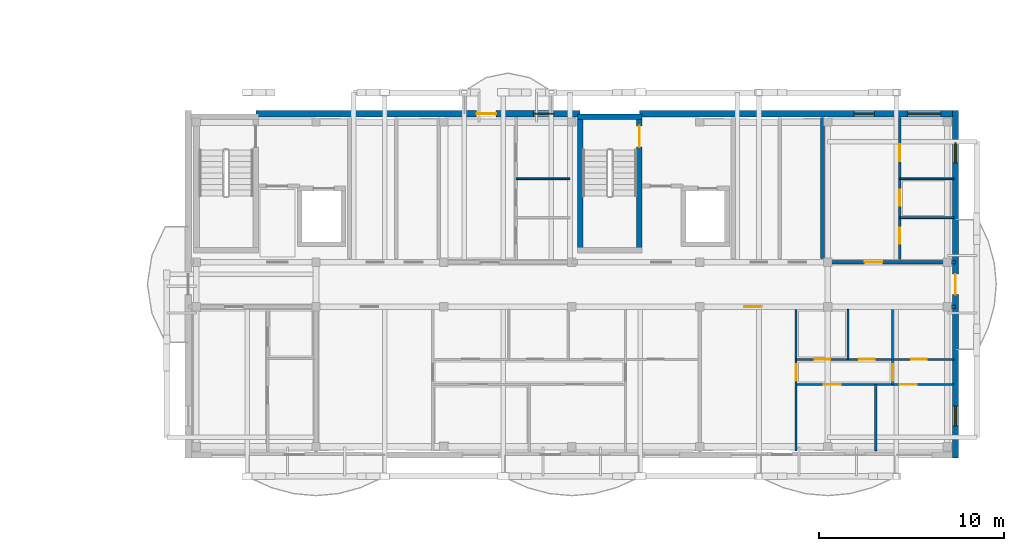
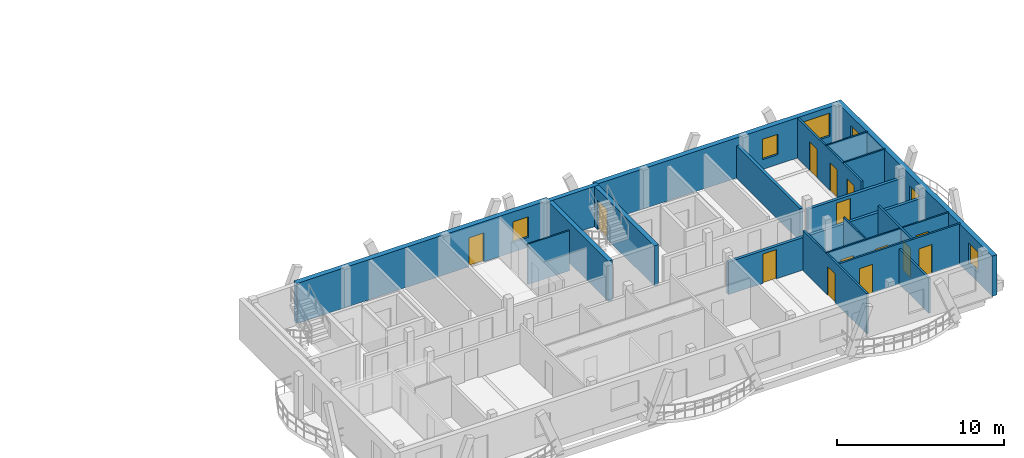
# One storey, part 27 of 42: 19 walls, 15 doors, 5 windows, 20 openings.
"""IFC4 building model written with IfcOpenShell, lengths in metres."""

import ifcopenshell
import ifcopenshell.guid

model = None  # the IFC model being written
_history = None  # IfcOwnerHistory: only IFC2X3 demands one
_inside = {}  # id of a spatial element -> (the spatial element, [elements in it])
_under = {}  # id of a project, library or spatial element -> (it, [spatial elements below it])
_declared = {}  # id of a project -> (the project, [libraries it declares])
_typed = {}  # id of a type object -> (the type object, [elements of that type])
_made_of = {}  # id of a material, layer set ... -> (it, [elements and type objects made of it])


def new_model(schema):
    """Start an empty IFC model of exactly this schema.

    Asked for "IFC4X3", IfcOpenShell would pick the latest addendum, in which some entities
    have other attributes; the version numbers below select the first issue.
    IFC2X3 requires an IfcOwnerHistory on every rooted entity: one is made here for all.
    """
    global model, _history
    if schema == "IFC4X3":
        model = ifcopenshell.file(schema_version=(4, 3, 0, 0))
    else:
        model = ifcopenshell.file(schema=schema)
    _inside.clear()
    _under.clear()
    _declared.clear()
    _typed.clear()
    _made_of.clear()
    _history = None
    if model.schema == "IFC2X3":
        org = make("IfcOrganization", Name="unknown")
        user = make(
            "IfcPersonAndOrganization",
            ThePerson=make("IfcPerson", FamilyName="unknown"),
            TheOrganization=org,
        )
        app = make(
            "IfcApplication",
            ApplicationDeveloper=org,
            Version="unknown",
            ApplicationFullName="unknown",
            ApplicationIdentifier="unknown",
        )
        _history = make(
            "IfcOwnerHistory",
            OwningUser=user,
            OwningApplication=app,
            ChangeAction="ADDED",
            CreationDate=0,
        )
    return model


def make(cls, **values):
    """One entity of the class cls with the attributes given. An attribute that is None is left unset."""
    return model.create_entity(
        cls, **{name: value for name, value in values.items() if value is not None}
    )


def rooted(cls, **values):
    """An entity with a GlobalId (a new one), such as an element, a storey or a relation."""
    return make(cls, GlobalId=ifcopenshell.guid.new(), OwnerHistory=_history, **values)


def si_unit(unit_type, name, prefix=None):
    """IfcSIUnit, for example si_unit("LENGTHUNIT", "METRE", prefix="MILLI")."""
    return make("IfcSIUnit", UnitType=unit_type, Prefix=prefix, Name=name)


def assignment(units):
    """IfcUnitAssignment: the units of a project."""
    return None if units is None else make("IfcUnitAssignment", Units=units)


def point(xyz):
    """IfcCartesianPoint."""
    return None if xyz is None else make("IfcCartesianPoint", Coordinates=xyz)


def direction(xyz):
    """IfcDirection."""
    return None if xyz is None else make("IfcDirection", DirectionRatios=xyz)


def frame(location, z_axis=None, x_axis=None):
    """IfcAxis2Placement3D, a coordinate frame: its origin and axes. An axis left out is left unset."""
    return make(
        "IfcAxis2Placement3D",
        Location=point(location),
        Axis=direction(z_axis),
        RefDirection=direction(x_axis),
    )


def frame_2d(location, x_axis=None):
    """IfcAxis2Placement2D, a coordinate frame in the plane: its origin and x axis."""
    return make(
        "IfcAxis2Placement2D", Location=point(location), RefDirection=direction(x_axis)
    )


def origin():
    """The frame at (0, 0, 0) with its axes left unset."""
    return frame((0.0, 0.0, 0.0))


def origin_with_axes():
    """The frame at (0, 0, 0) with the z axis (0, 0, 1) and the x axis (1, 0, 0) written out."""
    return frame((0.0, 0.0, 0.0), z_axis=(0.0, 0.0, 1.0), x_axis=(1.0, 0.0, 0.0))


def place(relative_to, where):
    """IfcLocalPlacement: puts the frame where relative to a parent placement (None: the world)."""
    return make(
        "IfcLocalPlacement", PlacementRelTo=relative_to, RelativePlacement=where
    )


def context(
    kind, dimensions, precision=None, world=None, true_north=None, identifier=None
):
    """IfcGeometricRepresentationContext, for example the 3D "Model" context."""
    return make(
        "IfcGeometricRepresentationContext",
        ContextIdentifier=identifier,
        ContextType=kind,
        CoordinateSpaceDimension=dimensions,
        Precision=precision,
        WorldCoordinateSystem=world,
        TrueNorth=true_north,
    )


def subcontext(parent, identifier, kind, view, scale=None):
    """IfcGeometricRepresentationSubContext, for example "Body" below "Model"."""
    return make(
        "IfcGeometricRepresentationSubContext",
        ContextIdentifier=identifier,
        ContextType=kind,
        ParentContext=parent,
        TargetScale=scale,
        TargetView=view,
    )


def project(units=None, contexts=None):
    """IfcProject with its units and contexts."""
    return rooted(
        "IfcProject",
        Name="project",
        RepresentationContexts=contexts,
        UnitsInContext=assignment(units),
    )


def spatial(cls, under=None, at=None, **own):
    """A site, building, storey or space (cls), placed at a placement, below another one or the project."""
    s = rooted(cls, ObjectPlacement=at, **own)
    if under is not None:
        _under.setdefault(under.id(), (under, []))[1].append(s)
    return s


def profile(cls, at=None, kind="AREA", **sizes):
    """A parametric profile (cls). Its sizes go by their IFC names, for example OverallWidth=200.0."""
    return make(cls, ProfileType=kind, Position=at, **sizes)


def rectangle(**sizes):
    """IfcRectangleProfileDef."""
    return profile("IfcRectangleProfileDef", **sizes)


def extrude(swept, where, along, depth):
    """IfcExtrudedAreaSolid: the profile swept, set in the frame where, extruded along a direction by depth."""
    return make(
        "IfcExtrudedAreaSolid",
        SweptArea=swept,
        Position=where,
        ExtrudedDirection=direction(along),
        Depth=depth,
    )


def shape(context_of_items, identifier, shape_type, items):
    """IfcShapeRepresentation: the items that make up one representation, for example the "Body"."""
    return make(
        "IfcShapeRepresentation",
        ContextOfItems=context_of_items,
        RepresentationIdentifier=identifier,
        RepresentationType=shape_type,
        Items=items,
    )


def material(Name=None, Category=None):
    """IfcMaterial."""
    return make("IfcMaterial", Name=Name, Category=Category)


def layer(
    of_material, thickness, ventilated=None, Name=None, Category=None, Priority=None
):
    """IfcMaterialLayer: one layer of a wall or slab, of a material (None: an air gap)."""
    return make(
        "IfcMaterialLayer",
        Material=of_material,
        LayerThickness=thickness,
        IsVentilated=ventilated,
        Name=Name,
        Category=Category,
        Priority=Priority,
    )


def layer_set(layers, Name=None):
    """IfcMaterialLayerSet."""
    return make("IfcMaterialLayerSet", MaterialLayers=layers, LayerSetName=Name)


def made_of(thing, what):
    """Note that an element or type object is made of a material, layer set ...; save() writes the relation."""
    if what is not None:
        _made_of.setdefault(what.id(), (what, []))[1].append(thing)
    return thing


def type_object(cls, material=None, **own):
    """A type object (cls), such as IfcWallType, which elements share."""
    return made_of(rooted(cls, **own), material)


def element(
    cls,
    number,
    at=None,
    inside=None,
    cuts=None,
    type_object=None,
    material=None,
    context=None,
    identifier="Body",
    shape_type=None,
    held_by="IfcProductDefinitionShape",
    body=None,
    shapes=None,
    **own,
):
    """One element of the class cls, such as IfcWall. Its Tag is "e" and its number.

    at: its placement. inside: the storey or other place that contains it. cuts: it is an
    opening in that element (IfcRelVoidsElement). A single representation is given by context,
    identifier, shape_type and body (its items); several are given by shapes. held_by: the class
    of the entity that holds the representations. save() writes the other relations.
    """
    e = rooted(cls, Tag="e%d" % number, ObjectPlacement=at, **own)
    if body is not None:
        shapes = [shape(context, identifier, shape_type, body)]
    if shapes is not None:
        e.Representation = make(held_by, Representations=shapes)
    if inside is not None:
        _inside.setdefault(inside.id(), (inside, []))[1].append(e)
    if cuts is not None:
        rooted(
            "IfcRelVoidsElement", RelatingBuildingElement=cuts, RelatedOpeningElement=e
        )
    if type_object is not None:
        _typed.setdefault(type_object.id(), (type_object, []))[1].append(e)
    return made_of(e, material)


def fill(opening, filler):
    """IfcRelFillsElement: the door or window that sits in an opening."""
    return rooted(
        "IfcRelFillsElement",
        RelatingOpeningElement=opening,
        RelatedBuildingElement=filler,
    )


def aggregate(whole, parts):
    """IfcRelAggregates: a whole, such as a stair, and the parts it consists of."""
    return rooted("IfcRelAggregates", RelatingObject=whole, RelatedObjects=parts)


def save(model, path):
    """Write the relations noted so far, then the file.

    IfcRelAggregates (storeys below a building ...), IfcRelContainedInSpatialStructure (elements
    in a storey), IfcRelDefinesByType, IfcRelAssociatesMaterial and IfcRelDeclares: one each for
    every whole, place, type object, material and project.
    """
    for whole, parts in _under.values():
        aggregate(whole, parts)
    for where, things in _inside.values():
        rooted(
            "IfcRelContainedInSpatialStructure",
            RelatedElements=things,
            RelatingStructure=where,
        )
    for kind, things in _typed.values():
        rooted("IfcRelDefinesByType", RelatedObjects=things, RelatingType=kind)
    for what, things in _made_of.values():
        rooted("IfcRelAssociatesMaterial", RelatedObjects=things, RelatingMaterial=what)
    for by, libraries in _declared.values():
        rooted("IfcRelDeclares", RelatingContext=by, RelatedDefinitions=libraries)
    model.write(path)


model = new_model("IFC4")

# Units and contexts
model_context = context("Model", 3, precision=1e-05, world=origin(), true_north=direction((0.0, 1.0)))
body_context = subcontext(model_context, "Body", "Model", "MODEL_VIEW")
ifc_project = project(units=[si_unit("LENGTHUNIT", "METRE"), si_unit("AREAUNIT", "SQUARE_METRE"), si_unit("VOLUMEUNIT", "CUBIC_METRE"), si_unit("PLANEANGLEUNIT", "RADIAN"), si_unit("MASSUNIT", "GRAM", prefix="KILO")], contexts=[model_context])

# Site, building, storey
site_placement = place(None, origin())
site = spatial("IfcSite", under=ifc_project, at=site_placement, CompositionType="ELEMENT")
building_placement = place(site_placement, origin())
building = spatial("IfcBuilding", under=site, at=building_placement, Name="Zavelmont Quarter", CompositionType="ELEMENT")
storey_placement = place(building_placement, frame((0.0, 0.0, 24.0)))
storey = spatial("IfcBuildingStorey", under=building, at=storey_placement, Name="L07", CompositionType="ELEMENT", Elevation=24.0)

# Wall, openings, door, window
ifc_material_1 = material(Name="Natural Belgian limestone", Category="masonry")
ifc_layer_1 = layer(ifc_material_1, 0.340087890625)
ifc_layer_set_1 = layer_set([ifc_layer_1], Name="Natural Belgian limestone")
wall_type_1 = type_object("IfcWallType", Name="EW03", PredefinedType="STANDARD", material=ifc_layer_set_1)
wall_1_placement = place(storey_placement, frame((130.25, 18.39990234375, 0.0), z_axis=(0.0, 0.0, 1.0), x_axis=(1.0, 0.0, 0.0)))
wall_1 = element("IfcWall", 1, at=wall_1_placement, inside=storey, type_object=wall_type_1, Name="L07 exterior limestone wall EW03", PredefinedType="STANDARD", context=body_context, shape_type="SweptSolid", body=[
    extrude(rectangle(XDim=17.5, YDim=0.340087890625, at=frame_2d((8.75, 0.0))), origin(), (0.0, 0.0, 1.0), 2.949951171875),
])
opening_1_placement = place(wall_1_placement, frame((11.920654296875, 0.0, 0.0)))
opening_1 = element("IfcOpeningElement", 2, at=opening_1_placement, cuts=wall_1, Name="Opening DR04A", PredefinedType="OPENING", context=body_context, shape_type="SweptSolid", body=[
    extrude(rectangle(XDim=1.050048828125, YDim=2.1201171875, at=frame_2d((0.52490234375, 1.06005859375))), frame((0.0, 0.18212890625, 0.0), z_axis=(0.0, -1.0, 0.0), x_axis=(1.0, 0.0, 0.0)), (0.0, 0.0, 1.0), 0.364013671875),
])
opening_2_placement = place(wall_1_placement, frame((14.969970703125, 0.0, 0.719970703125)))
opening_2 = element("IfcOpeningElement", 3, at=opening_2_placement, cuts=wall_1, Name="Opening WN09", PredefinedType="OPENING", context=body_context, shape_type="SweptSolid", body=[
    extrude(rectangle(XDim=1.10009765625, YDim=1.5, at=frame_2d((0.550048828125, 0.75))), frame((0.0, 0.18212890625, 0.0), z_axis=(0.0, -1.0, 0.0), x_axis=(1.0, 0.0, 0.0)), (0.0, 0.0, 1.0), 0.364013671875),
])
ifc_material_2 = material(Name="Thermally broken aluminium and double safety glass", Category="aluminium")
door_type_1 = type_object("IfcDoorType", Name="DR04A", OperationType="NOTDEFINED", PredefinedType="DOOR", material=ifc_material_2)
door_1_placement = place(opening_1_placement, frame((1.050048828125, 0.0, 0.0), z_axis=(0.0, 0.0, 1.0), x_axis=(-1.0, 0.0, 0.0)))
door_1 = element("IfcDoor", 4, at=door_1_placement, inside=storey, type_object=door_type_1, Name="Block D L07 glazed balcony door", OperationType="SINGLE_SWING_LEFT", OverallHeight=2.1201171875, OverallWidth=1.050048828125, PredefinedType="DOOR", context=body_context, shape_type="SweptSolid", body=[
    extrude(rectangle(XDim=1.050048828125, YDim=2.1201171875, at=frame_2d((0.52490234375, 1.06005859375))), frame((0.0, 0.02490234375, 0.0), z_axis=(0.0, -1.0, 0.0), x_axis=(1.0, 0.0, 0.0)), (0.0, 0.0, 1.0), 0.050048828125),
])
fill(opening_1, door_1)
ifc_material_3 = material(Name="Double low-E insulated glazing in thermally broken aluminium frame", Category="aluminium")
window_type_1 = type_object("IfcWindowType", Name="WN09", PartitioningType="SINGLE_PANEL", PredefinedType="WINDOW", material=ifc_material_3)
window_1_placement = place(opening_2_placement, origin_with_axes())
window_1 = element("IfcWindow", 5, at=window_1_placement, inside=storey, type_object=window_type_1, Name="L07 window WN09", OverallHeight=1.5, OverallWidth=1.10009765625, PartitioningType="SINGLE_PANEL", PredefinedType="WINDOW", context=body_context, shape_type="SweptSolid", body=[
    extrude(rectangle(XDim=1.10009765625, YDim=1.5, at=frame_2d((0.550048828125, 0.75))), frame((0.0, 0.030029296875, 0.0), z_axis=(0.0, -1.0, 0.0), x_axis=(1.0, 0.0, 0.0)), (0.0, 0.0, 1.0), 0.06005859375),
])
fill(opening_2, window_1)

# Wall, openings, windows
wall_2_placement = place(storey_placement, frame((150.949951171875, 18.39990234375, 0.0), z_axis=(0.0, 0.0, 1.0), x_axis=(1.0, 0.0, 0.0)))
wall_2 = element("IfcWall", 6, at=wall_2_placement, inside=storey, type_object=wall_type_1, Name="L07 exterior limestone wall EW03", PredefinedType="STANDARD", context=body_context, shape_type="SweptSolid", body=[
    extrude(rectangle(XDim=16.89013671875, YDim=0.340087890625, at=frame_2d((8.445068359375, 0.0))), origin(), (0.0, 0.0, 1.0), 2.949951171875),
])
opening_3_placement = place(wall_2_placement, frame((11.570068359375, 0.0, 0.719970703125)))
opening_3 = element("IfcOpeningElement", 7, at=opening_3_placement, cuts=wall_2, Name="Opening WN09", PredefinedType="OPENING", context=body_context, shape_type="SweptSolid", body=[
    extrude(rectangle(XDim=1.10009765625, YDim=1.5, at=frame_2d((0.550048828125, 0.75))), frame((0.0, 0.18212890625, 0.0), z_axis=(0.0, -1.0, 0.0), x_axis=(1.0, 0.0, 0.0)), (0.0, 0.0, 1.0), 0.364013671875),
])
opening_4_placement = place(wall_2_placement, frame((14.4599609375, 0.0, 0.800048828125)))
opening_4 = element("IfcOpeningElement", 8, at=opening_4_placement, cuts=wall_2, Name="Opening WN02", PredefinedType="OPENING", context=body_context, shape_type="SweptSolid", body=[
    extrude(rectangle(XDim=1.800048828125, YDim=1.699951171875, at=frame_2d((0.89990234375, 0.85009765625))), frame((0.0, 0.18212890625, 0.0), z_axis=(0.0, -1.0, 0.0), x_axis=(1.0, 0.0, 0.0)), (0.0, 0.0, 1.0), 0.364013671875),
])
window_type_2 = type_object("IfcWindowType", Name="WN02", PartitioningType="SINGLE_PANEL", PredefinedType="WINDOW", material=ifc_material_3)
window_2_placement = place(opening_4_placement, origin_with_axes())
window_2 = element("IfcWindow", 9, at=window_2_placement, inside=storey, type_object=window_type_2, Name="L07 window WN02", OverallHeight=1.699951171875, OverallWidth=1.800048828125, PartitioningType="SINGLE_PANEL", PredefinedType="WINDOW", context=body_context, shape_type="SweptSolid", body=[
    extrude(rectangle(XDim=1.800048828125, YDim=1.699951171875, at=frame_2d((0.89990234375, 0.85009765625))), frame((0.0, 0.030029296875, 0.0), z_axis=(0.0, -1.0, 0.0), x_axis=(1.0, 0.0, 0.0)), (0.0, 0.0, 1.0), 0.06005859375),
])
fill(opening_4, window_2)
window_3_placement = place(opening_3_placement, origin_with_axes())
window_3 = element("IfcWindow", 10, at=window_3_placement, inside=storey, type_object=window_type_1, Name="L07 window WN09", OverallHeight=1.5, OverallWidth=1.10009765625, PartitioningType="SINGLE_PANEL", PredefinedType="WINDOW", context=body_context, shape_type="SweptSolid", body=[
    extrude(rectangle(XDim=1.10009765625, YDim=1.5, at=frame_2d((0.550048828125, 0.75))), frame((0.0, 0.030029296875, 0.0), z_axis=(0.0, -1.0, 0.0), x_axis=(1.0, 0.0, 0.0)), (0.0, 0.0, 1.0), 0.06005859375),
])
fill(opening_3, window_3)

# Wall, openings, door, windows
wall_3_placement = place(storey_placement, frame((168.0, -0.169921875, 0.0), z_axis=(0.0, 0.0, 1.0), x_axis=(0.0, 1.0, 0.0)))
wall_3 = element("IfcWall", 11, at=wall_3_placement, inside=storey, type_object=wall_type_1, Name="L07 exterior limestone wall EW03", PredefinedType="STANDARD", context=body_context, shape_type="SweptSolid", body=[
    extrude(rectangle(XDim=18.739990234375, YDim=0.340087890625, at=frame_2d((9.3701171875, 0.0))), origin(), (0.0, 0.0, 1.0), 2.949951171875),
])
opening_5_placement = place(wall_3_placement, frame((8.820068359375, 0.0, 0.0)))
opening_5 = element("IfcOpeningElement", 12, at=opening_5_placement, cuts=wall_3, Name="Opening DR04B", PredefinedType="OPENING", context=body_context, shape_type="SweptSolid", body=[
    extrude(rectangle(XDim=1.10009765625, YDim=2.10009765625, at=frame_2d((0.550048828125, 1.050048828125))), frame((0.0, 0.18212890625, 0.0), z_axis=(0.0, -1.0, 0.0), x_axis=(1.0, 0.0, 0.0)), (0.0, 0.0, 1.0), 0.364013671875),
])
opening_6_placement = place(wall_3_placement, frame((1.719970703125, 0.0, 0.719970703125)))
opening_6 = element("IfcOpeningElement", 13, at=opening_6_placement, cuts=wall_3, Name="Opening WN09", PredefinedType="OPENING", context=body_context, shape_type="SweptSolid", body=[
    extrude(rectangle(XDim=1.10009765625, YDim=1.5, at=frame_2d((0.550048828125, 0.75))), frame((0.0, 0.18212890625, 0.0), z_axis=(0.0, -1.0, 0.0), x_axis=(1.0, 0.0, 0.0)), (0.0, 0.0, 1.0), 0.364013671875),
])
opening_7_placement = place(wall_3_placement, frame((15.919921875, 0.0, 0.719970703125)))
opening_7 = element("IfcOpeningElement", 14, at=opening_7_placement, cuts=wall_3, Name="Opening WN09", PredefinedType="OPENING", context=body_context, shape_type="SweptSolid", body=[
    extrude(rectangle(XDim=1.10009765625, YDim=1.5, at=frame_2d((0.550048828125, 0.75))), frame((0.0, 0.18212890625, 0.0), z_axis=(0.0, -1.0, 0.0), x_axis=(1.0, 0.0, 0.0)), (0.0, 0.0, 1.0), 0.364013671875),
])
door_type_2 = type_object("IfcDoorType", Name="DR04B", OperationType="NOTDEFINED", PredefinedType="DOOR", material=ifc_material_2)
door_2_placement = place(opening_5_placement, origin_with_axes())
door_2 = element("IfcDoor", 15, at=door_2_placement, inside=storey, type_object=door_type_2, Name="Block D L07 terrace or vase balcony door", OperationType="SINGLE_SWING_LEFT", OverallHeight=2.10009765625, OverallWidth=1.10009765625, PredefinedType="DOOR", context=body_context, shape_type="SweptSolid", body=[
    extrude(rectangle(XDim=1.10009765625, YDim=2.10009765625, at=frame_2d((0.550048828125, 1.050048828125))), frame((0.0, 0.02490234375, 0.0), z_axis=(0.0, -1.0, 0.0), x_axis=(1.0, 0.0, 0.0)), (0.0, 0.0, 1.0), 0.050048828125),
])
fill(opening_5, door_2)
window_4_placement = place(opening_6_placement, origin_with_axes())
window_4 = element("IfcWindow", 16, at=window_4_placement, inside=storey, type_object=window_type_1, Name="L07 window WN09", OverallHeight=1.5, OverallWidth=1.10009765625, PartitioningType="SINGLE_PANEL", PredefinedType="WINDOW", context=body_context, shape_type="SweptSolid", body=[
    extrude(rectangle(XDim=1.10009765625, YDim=1.5, at=frame_2d((0.550048828125, 0.75))), frame((0.0, 0.030029296875, 0.0), z_axis=(0.0, -1.0, 0.0), x_axis=(1.0, 0.0, 0.0)), (0.0, 0.0, 1.0), 0.06005859375),
])
fill(opening_6, window_4)
window_5_placement = place(opening_7_placement, origin_with_axes())
window_5 = element("IfcWindow", 17, at=window_5_placement, inside=storey, type_object=window_type_1, Name="L07 window WN09", OverallHeight=1.5, OverallWidth=1.10009765625, PartitioningType="SINGLE_PANEL", PredefinedType="WINDOW", context=body_context, shape_type="SweptSolid", body=[
    extrude(rectangle(XDim=1.10009765625, YDim=1.5, at=frame_2d((0.550048828125, 0.75))), frame((0.0, 0.030029296875, 0.0), z_axis=(0.0, -1.0, 0.0), x_axis=(1.0, 0.0, 0.0)), (0.0, 0.0, 1.0), 0.06005859375),
])
fill(opening_7, window_5)

# Wall
ifc_material_4 = material(Name="Calcium-silicate blockwork and acoustic plaster", Category="masonry")
ifc_layer_2 = layer(ifc_material_4, 0.199951171875)
ifc_layer_set_2 = layer_set([ifc_layer_2], Name="Calcium-silicate blockwork and acoustic plaster")
wall_type_2 = type_object("IfcWallType", Name="IW01", PredefinedType="PARTITIONING", material=ifc_layer_set_2)
wall_4_placement = place(storey_placement, frame((160.820068359375, 10.60009765625, 0.0), z_axis=(0.0, 0.0, 1.0), x_axis=(0.0, 1.0, 0.0)))
element("IfcWall", 18, at=wall_4_placement, inside=storey, type_object=wall_type_2, Name="L07 Core service end wall IW01", PredefinedType="PARTITIONING", context=body_context, shape_type="SweptSolid", body=[
    extrude(rectangle(XDim=7.599853515625, YDim=0.199951171875, at=frame_2d((3.7998046875, 0.0))), origin(), (0.0, 0.0, 1.0), 2.389892578125),
])

# Wall, opening, door
wall_5_placement = place(storey_placement, frame((154.199951171875, 8.0, 0.0), z_axis=(0.0, 0.0, 1.0), x_axis=(1.0, 0.0, 0.0)))
wall_5 = element("IfcWall", 19, at=wall_5_placement, inside=storey, type_object=wall_type_2, Name="L07 Corridor compartment wall IW01", PredefinedType="PARTITIONING", context=body_context, shape_type="SweptSolid", body=[
    extrude(rectangle(XDim=13.800048828125, YDim=0.199951171875, at=frame_2d((6.89990234375, 0.0))), origin(), (0.0, 0.0, 1.0), 2.389892578125),
])
opening_8_placement = place(wall_5_placement, frame((2.39990234375, 0.0, 0.0)))
opening_8 = element("IfcOpeningElement", 20, at=opening_8_placement, cuts=wall_5, Name="Opening DR02", PredefinedType="OPENING", context=body_context, shape_type="SweptSolid", body=[
    extrude(rectangle(XDim=0.949951171875, YDim=2.14990234375, at=frame_2d((0.47509765625, 1.074951171875))), frame((0.0, 0.11181640625, 0.0), z_axis=(0.0, -1.0, 0.0), x_axis=(1.0, 0.0, 0.0)), (0.0, 0.0, 1.0), 0.223876953125),
])
ifc_material_5 = material(Name="Solid-core oak fire leaf in steel frame", Category="steel")
door_type_3 = type_object("IfcDoorType", Name="DR02", OperationType="NOTDEFINED", PredefinedType="DOOR", material=ifc_material_5)
door_3_placement = place(opening_8_placement, frame((0.949951171875, 0.0, 0.0), z_axis=(0.0, 0.0, 1.0), x_axis=(-1.0, 0.0, 0.0)))
door_3 = element("IfcDoor", 21, at=door_3_placement, inside=storey, type_object=door_type_3, Name="L07 door DR02", OperationType="SINGLE_SWING_LEFT", OverallHeight=2.14990234375, OverallWidth=0.949951171875, PredefinedType="DOOR", context=body_context, shape_type="SweptSolid", body=[
    extrude(rectangle(XDim=0.949951171875, YDim=2.14990234375, at=frame_2d((0.47509765625, 1.074951171875))), frame((0.0, 0.02490234375, 0.0), z_axis=(0.0, -1.0, 0.0), x_axis=(1.0, 0.0, 0.0)), (0.0, 0.0, 1.0), 0.050048828125),
])
fill(opening_8, door_3)

wall_6_placement = place(storey_placement, frame((161.10009765625, 10.39990234375, 0.0), z_axis=(0.0, 0.0, 1.0), x_axis=(1.0, 0.0, 0.0)))
wall_6 = element("IfcWall", 22, at=wall_6_placement, inside=storey, type_object=wall_type_2, Name="L07 Corridor compartment wall IW01", PredefinedType="PARTITIONING", context=body_context, shape_type="SweptSolid", body=[
    extrude(rectangle(XDim=6.89990234375, YDim=0.199951171875, at=frame_2d((3.449951171875, 0.0))), origin(), (0.0, 0.0, 1.0), 2.389892578125),
])
opening_9_placement = place(wall_6_placement, frame((2.0, 0.0, 0.0)))
opening_9 = element("IfcOpeningElement", 23, at=opening_9_placement, cuts=wall_6, Name="Opening DR02", PredefinedType="OPENING", context=body_context, shape_type="SweptSolid", body=[
    extrude(rectangle(XDim=0.949951171875, YDim=2.14990234375, at=frame_2d((0.47509765625, 1.074951171875))), frame((0.0, 0.11181640625, 0.0), z_axis=(0.0, -1.0, 0.0), x_axis=(1.0, 0.0, 0.0)), (0.0, 0.0, 1.0), 0.223876953125),
])
door_4_placement = place(opening_9_placement, origin_with_axes())
door_4 = element("IfcDoor", 24, at=door_4_placement, inside=storey, type_object=door_type_3, Name="L07 door DR02", OperationType="SINGLE_SWING_LEFT", OverallHeight=2.14990234375, OverallWidth=0.949951171875, PredefinedType="DOOR", context=body_context, shape_type="SweptSolid", body=[
    extrude(rectangle(XDim=0.949951171875, YDim=2.14990234375, at=frame_2d((0.47509765625, 1.074951171875))), frame((0.0, 0.02490234375, 0.0), z_axis=(0.0, -1.0, 0.0), x_axis=(1.0, 0.0, 0.0)), (0.0, 0.0, 1.0), 0.050048828125),
])
fill(opening_9, door_4)

ifc_material_6 = material(Name="Double gypsum board on acoustic steel stud", Category="steel")
ifc_layer_3 = layer(ifc_material_6, 0.125)
ifc_layer_set_3 = layer_set([ifc_layer_3], Name="Double gypsum board on acoustic steel stud")
wall_type_3 = type_object("IfcWallType", Name="IW03", PredefinedType="PARTITIONING", material=ifc_layer_set_3)
wall_7_placement = place(storey_placement, frame((159.39990234375, 7.85009765625, 0.0), z_axis=(0.0, 0.0, 1.0), x_axis=(0.0, -1.0, 0.0)))
wall_7 = element("IfcWall", 25, at=wall_7_placement, inside=storey, type_object=wall_type_3, Name="L07 Partition IW03", PredefinedType="PARTITIONING", context=body_context, shape_type="SweptSolid", body=[
    extrude(rectangle(XDim=7.650146484375, YDim=0.125, at=frame_2d((3.8251953125, 0.0))), origin(), (0.0, 0.0, 1.0), 2.949951171875),
])
opening_10_placement = place(wall_7_placement, frame((2.949951171875, 0.0, 0.0)))
opening_10 = element("IfcOpeningElement", 26, at=opening_10_placement, cuts=wall_7, Name="Opening DR05", PredefinedType="OPENING", context=body_context, shape_type="SweptSolid", body=[
    extrude(rectangle(XDim=0.89990234375, YDim=2.10009765625, at=frame_2d((0.449951171875, 1.050048828125))), frame((0.0, 0.074462890625, 0.0), z_axis=(0.0, -1.0, 0.0), x_axis=(1.0, 0.0, 0.0)), (0.0, 0.0, 1.0), 0.14892578125),
])
ifc_material_7 = material(Name="Engineered oak flush interior door")
door_type_4 = type_object("IfcDoorType", Name="DR05", OperationType="NOTDEFINED", PredefinedType="DOOR", material=ifc_material_7)
door_5_placement = place(opening_10_placement, frame((0.89990234375, 0.0, 0.0), z_axis=(0.0, 0.0, 1.0), x_axis=(-1.0, 0.0, 0.0)))
door_5 = element("IfcDoor", 27, at=door_5_placement, inside=storey, type_object=door_type_4, Name="L07 door DR05", OperationType="SINGLE_SWING_LEFT", OverallHeight=2.10009765625, OverallWidth=0.89990234375, PredefinedType="DOOR", context=body_context, shape_type="SweptSolid", body=[
    extrude(rectangle(XDim=0.89990234375, YDim=2.10009765625, at=frame_2d((0.449951171875, 1.050048828125))), frame((0.0, 0.02490234375, 0.0), z_axis=(0.0, -1.0, 0.0), x_axis=(1.0, 0.0, 0.0)), (0.0, 0.0, 1.0), 0.050048828125),
])
fill(opening_10, door_5)

wall_8_placement = place(storey_placement, frame((164.60009765625, 7.85009765625, 0.0), z_axis=(0.0, 0.0, 1.0), x_axis=(0.0, -1.0, 0.0)))
wall_8 = element("IfcWall", 28, at=wall_8_placement, inside=storey, type_object=wall_type_3, Name="L07 Partition IW03", PredefinedType="PARTITIONING", context=body_context, shape_type="SweptSolid", body=[
    extrude(rectangle(XDim=4.050048828125, YDim=0.125, at=frame_2d((2.02490234375, 0.0))), origin(), (0.0, 0.0, 1.0), 2.949951171875),
])
opening_11_placement = place(wall_8_placement, frame((2.949951171875, 0.0, 0.0)))
opening_11 = element("IfcOpeningElement", 29, at=opening_11_placement, cuts=wall_8, Name="Opening DR05", PredefinedType="OPENING", context=body_context, shape_type="SweptSolid", body=[
    extrude(rectangle(XDim=0.89990234375, YDim=2.10009765625, at=frame_2d((0.449951171875, 1.050048828125))), frame((0.0, 0.074462890625, 0.0), z_axis=(0.0, -1.0, 0.0), x_axis=(1.0, 0.0, 0.0)), (0.0, 0.0, 1.0), 0.14892578125),
])
door_6_placement = place(opening_11_placement, origin_with_axes())
door_6 = element("IfcDoor", 30, at=door_6_placement, inside=storey, type_object=door_type_4, Name="L07 door DR05", OperationType="SINGLE_SWING_RIGHT", OverallHeight=2.10009765625, OverallWidth=0.89990234375, PredefinedType="DOOR", context=body_context, shape_type="SweptSolid", body=[
    extrude(rectangle(XDim=0.89990234375, YDim=2.10009765625, at=frame_2d((0.449951171875, 1.050048828125))), frame((0.0, 0.02490234375, 0.0), z_axis=(0.0, -1.0, 0.0), x_axis=(1.0, 0.0, 0.0)), (0.0, 0.0, 1.0), 0.050048828125),
])
fill(opening_11, door_6)

# Wall
wall_9_placement = place(storey_placement, frame((163.699951171875, 3.800048828125, 0.0), z_axis=(0.0, 0.0, 1.0), x_axis=(0.0, -1.0, 0.0)))
element("IfcWall", 31, at=wall_9_placement, inside=storey, type_object=wall_type_3, Name="L07 Partition IW03", PredefinedType="PARTITIONING", context=body_context, shape_type="SweptSolid", body=[
    extrude(rectangle(XDim=3.60009765625, YDim=0.125, at=frame_2d((1.800048828125, 0.0))), origin(), (0.0, 0.0, 1.0), 2.590087890625),
])

# Wall, openings, doors
wall_10_placement = place(storey_placement, frame((159.39990234375, 3.800048828125, 0.0), z_axis=(0.0, 0.0, 1.0), x_axis=(1.0, 0.0, 0.0)))
wall_10 = element("IfcWall", 32, at=wall_10_placement, inside=storey, type_object=wall_type_3, Name="L07 Partition IW03", PredefinedType="PARTITIONING", context=body_context, shape_type="SweptSolid", body=[
    extrude(rectangle(XDim=8.5, YDim=0.125, at=frame_2d((4.25, 0.0))), origin(), (0.0, 0.0, 1.0), 2.949951171875),
])
opening_12_placement = place(wall_10_placement, frame((1.5, 0.0, 0.0)))
opening_12 = element("IfcOpeningElement", 33, at=opening_12_placement, cuts=wall_10, Name="Opening DR05", PredefinedType="OPENING", context=body_context, shape_type="SweptSolid", body=[
    extrude(rectangle(XDim=0.89990234375, YDim=2.10009765625, at=frame_2d((0.449951171875, 1.050048828125))), frame((0.0, 0.074462890625, 0.0), z_axis=(0.0, -1.0, 0.0), x_axis=(1.0, 0.0, 0.0)), (0.0, 0.0, 1.0), 0.14892578125),
])
opening_13_placement = place(wall_10_placement, frame((5.60009765625, 0.0, 0.0)))
opening_13 = element("IfcOpeningElement", 34, at=opening_13_placement, cuts=wall_10, Name="Opening DR05", PredefinedType="OPENING", context=body_context, shape_type="SweptSolid", body=[
    extrude(rectangle(XDim=0.89990234375, YDim=2.10009765625, at=frame_2d((0.449951171875, 1.050048828125))), frame((0.0, 0.074462890625, 0.0), z_axis=(0.0, -1.0, 0.0), x_axis=(1.0, 0.0, 0.0)), (0.0, 0.0, 1.0), 0.14892578125),
])
door_7_placement = place(opening_12_placement, origin_with_axes())
door_7 = element("IfcDoor", 35, at=door_7_placement, inside=storey, type_object=door_type_4, Name="L07 door DR05", OperationType="SINGLE_SWING_RIGHT", OverallHeight=2.10009765625, OverallWidth=0.89990234375, PredefinedType="DOOR", context=body_context, shape_type="SweptSolid", body=[
    extrude(rectangle(XDim=0.89990234375, YDim=2.10009765625, at=frame_2d((0.449951171875, 1.050048828125))), frame((0.0, 0.02490234375, 0.0), z_axis=(0.0, -1.0, 0.0), x_axis=(1.0, 0.0, 0.0)), (0.0, 0.0, 1.0), 0.050048828125),
])
fill(opening_12, door_7)
door_8_placement = place(opening_13_placement, frame((0.89990234375, 0.0, 0.0), z_axis=(0.0, 0.0, 1.0), x_axis=(-1.0, 0.0, 0.0)))
door_8 = element("IfcDoor", 36, at=door_8_placement, inside=storey, type_object=door_type_4, Name="L07 door DR05", OperationType="SINGLE_SWING_LEFT", OverallHeight=2.10009765625, OverallWidth=0.89990234375, PredefinedType="DOOR", context=body_context, shape_type="SweptSolid", body=[
    extrude(rectangle(XDim=0.89990234375, YDim=2.10009765625, at=frame_2d((0.449951171875, 1.050048828125))), frame((0.0, 0.02490234375, 0.0), z_axis=(0.0, -1.0, 0.0), x_axis=(1.0, 0.0, 0.0)), (0.0, 0.0, 1.0), 0.050048828125),
])
fill(opening_13, door_8)

wall_11_placement = place(storey_placement, frame((165.0, 10.550048828125, 0.0), z_axis=(0.0, 0.0, 1.0), x_axis=(0.0, 1.0, 0.0)))
wall_11 = element("IfcWall", 37, at=wall_11_placement, inside=storey, type_object=wall_type_3, Name="L07 Partition IW03", PredefinedType="PARTITIONING", context=body_context, shape_type="SweptSolid", body=[
    extrude(rectangle(XDim=7.64990234375, YDim=0.125, at=frame_2d((3.824951171875, 0.0))), origin(), (0.0, 0.0, 1.0), 2.949951171875),
])
opening_14_placement = place(wall_11_placement, frame((0.85009765625, 0.0, 0.0)))
opening_14 = element("IfcOpeningElement", 38, at=opening_14_placement, cuts=wall_11, Name="Opening DR16", PredefinedType="OPENING", context=body_context, shape_type="SweptSolid", body=[
    extrude(rectangle(XDim=0.85009765625, YDim=2.10009765625, at=frame_2d((0.425048828125, 1.050048828125))), frame((0.0, 0.074462890625, 0.0), z_axis=(0.0, -1.0, 0.0), x_axis=(1.0, 0.0, 0.0)), (0.0, 0.0, 1.0), 0.14892578125),
])
opening_15_placement = place(wall_11_placement, frame((2.89990234375, 0.0, 0.0)))
opening_15 = element("IfcOpeningElement", 39, at=opening_15_placement, cuts=wall_11, Name="Opening DR06", PredefinedType="OPENING", context=body_context, shape_type="SweptSolid", body=[
    extrude(rectangle(XDim=0.85009765625, YDim=2.050048828125, at=frame_2d((0.425048828125, 1.02490234375))), frame((0.0, 0.074462890625, 0.0), z_axis=(0.0, -1.0, 0.0), x_axis=(1.0, 0.0, 0.0)), (0.0, 0.0, 1.0), 0.14892578125),
])
opening_16_placement = place(wall_11_placement, frame((5.300048828125, 0.0, 0.0)))
opening_16 = element("IfcOpeningElement", 40, at=opening_16_placement, cuts=wall_11, Name="Opening DR05", PredefinedType="OPENING", context=body_context, shape_type="SweptSolid", body=[
    extrude(rectangle(XDim=0.89990234375, YDim=2.10009765625, at=frame_2d((0.449951171875, 1.050048828125))), frame((0.0, 0.074462890625, 0.0), z_axis=(0.0, -1.0, 0.0), x_axis=(1.0, 0.0, 0.0)), (0.0, 0.0, 1.0), 0.14892578125),
])
door_9_placement = place(opening_16_placement, frame((0.89990234375, 0.0, 0.0), z_axis=(0.0, 0.0, 1.0), x_axis=(-1.0, 0.0, 0.0)))
door_9 = element("IfcDoor", 41, at=door_9_placement, inside=storey, type_object=door_type_4, Name="L07 door DR05", OperationType="SINGLE_SWING_LEFT", OverallHeight=2.10009765625, OverallWidth=0.89990234375, PredefinedType="DOOR", context=body_context, shape_type="SweptSolid", body=[
    extrude(rectangle(XDim=0.89990234375, YDim=2.10009765625, at=frame_2d((0.449951171875, 1.050048828125))), frame((0.0, 0.02490234375, 0.0), z_axis=(0.0, -1.0, 0.0), x_axis=(1.0, 0.0, 0.0)), (0.0, 0.0, 1.0), 0.050048828125),
])
fill(opening_16, door_9)
ifc_material_8 = material(Name="Moisture-resistant painted wet-room door")
door_type_5 = type_object("IfcDoorType", Name="DR06", OperationType="NOTDEFINED", PredefinedType="DOOR", material=ifc_material_8)
door_10_placement = place(opening_15_placement, origin_with_axes())
door_10 = element("IfcDoor", 42, at=door_10_placement, inside=storey, type_object=door_type_5, Name="L07 door DR06", OperationType="SINGLE_SWING_RIGHT", OverallHeight=2.050048828125, OverallWidth=0.85009765625, PredefinedType="DOOR", context=body_context, shape_type="SweptSolid", body=[
    extrude(rectangle(XDim=0.85009765625, YDim=2.050048828125, at=frame_2d((0.425048828125, 1.02490234375))), frame((0.0, 0.02490234375, 0.0), z_axis=(0.0, -1.0, 0.0), x_axis=(1.0, 0.0, 0.0)), (0.0, 0.0, 1.0), 0.050048828125),
])
fill(opening_15, door_10)
door_type_6 = type_object("IfcDoorType", Name="DR16", OperationType="NOTDEFINED", PredefinedType="DOOR", material=ifc_material_7)
door_11_placement = place(opening_14_placement, frame((0.85009765625, 0.0, 0.0), z_axis=(0.0, 0.0, 1.0), x_axis=(-1.0, 0.0, 0.0)))
door_11 = element("IfcDoor", 43, at=door_11_placement, inside=storey, type_object=door_type_6, Name="L07 door DR16", OperationType="SINGLE_SWING_LEFT", OverallHeight=2.10009765625, OverallWidth=0.85009765625, PredefinedType="DOOR", context=body_context, shape_type="SweptSolid", body=[
    extrude(rectangle(XDim=0.85009765625, YDim=2.10009765625, at=frame_2d((0.425048828125, 1.050048828125))), frame((0.0, 0.02490234375, 0.0), z_axis=(0.0, -1.0, 0.0), x_axis=(1.0, 0.0, 0.0)), (0.0, 0.0, 1.0), 0.050048828125),
])
fill(opening_14, door_11)

# Wall
ifc_material_9 = material(Name="Moisture-resistant gypsum board on steel stud", Category="steel")
ifc_layer_4 = layer(ifc_material_9, 0.10009765625)
ifc_layer_set_4 = layer_set([ifc_layer_4], Name="Moisture-resistant gypsum board on steel stud")
wall_type_4 = type_object("IfcWallType", Name="IW04", PredefinedType="PARTITIONING", material=ifc_layer_set_4)
wall_12_placement = place(storey_placement, frame((162.199951171875, 7.85009765625, 0.0), z_axis=(0.0, 0.0, 1.0), x_axis=(0.0, -1.0, 0.0)))
element("IfcWall", 44, at=wall_12_placement, inside=storey, type_object=wall_type_4, Name="L07 Partition IW04", PredefinedType="PARTITIONING", context=body_context, shape_type="SweptSolid", body=[
    extrude(rectangle(XDim=2.7001953125, YDim=0.10009765625, at=frame_2d((1.35009765625, 0.0))), origin(), (0.0, 0.0, 1.0), 2.949951171875),
])

# Wall, openings, doors
wall_13_placement = place(storey_placement, frame((159.39990234375, 5.14990234375, 0.0), z_axis=(0.0, 0.0, 1.0), x_axis=(1.0, 0.0, 0.0)))
wall_13 = element("IfcWall", 45, at=wall_13_placement, inside=storey, type_object=wall_type_4, Name="L07 Partition IW04", PredefinedType="PARTITIONING", context=body_context, shape_type="SweptSolid", body=[
    extrude(rectangle(XDim=8.5, YDim=0.10009765625, at=frame_2d((4.25, 0.0))), origin(), (0.0, 0.0, 1.0), 2.949951171875),
])
opening_17_placement = place(wall_13_placement, frame((1.0, 0.0, 0.0)))
opening_17 = element("IfcOpeningElement", 46, at=opening_17_placement, cuts=wall_13, Name="Opening DR16", PredefinedType="OPENING", context=body_context, shape_type="SweptSolid", body=[
    extrude(rectangle(XDim=0.85009765625, YDim=2.10009765625, at=frame_2d((0.425048828125, 1.050048828125))), frame((0.0, 0.06201171875, 0.0), z_axis=(0.0, -1.0, 0.0), x_axis=(1.0, 0.0, 0.0)), (0.0, 0.0, 1.0), 0.1240234375),
])
opening_18_placement = place(wall_13_placement, frame((3.39990234375, 0.0, 0.0)))
opening_18 = element("IfcOpeningElement", 47, at=opening_18_placement, cuts=wall_13, Name="Opening DR06", PredefinedType="OPENING", context=body_context, shape_type="SweptSolid", body=[
    extrude(rectangle(XDim=0.85009765625, YDim=2.050048828125, at=frame_2d((0.425048828125, 1.02490234375))), frame((0.0, 0.06201171875, 0.0), z_axis=(0.0, -1.0, 0.0), x_axis=(1.0, 0.0, 0.0)), (0.0, 0.0, 1.0), 0.1240234375),
])
opening_19_placement = place(wall_13_placement, frame((6.199951171875, 0.0, 0.0)))
opening_19 = element("IfcOpeningElement", 48, at=opening_19_placement, cuts=wall_13, Name="Opening DR06", PredefinedType="OPENING", context=body_context, shape_type="SweptSolid", body=[
    extrude(rectangle(XDim=0.85009765625, YDim=2.050048828125, at=frame_2d((0.425048828125, 1.02490234375))), frame((0.0, 0.06201171875, 0.0), z_axis=(0.0, -1.0, 0.0), x_axis=(1.0, 0.0, 0.0)), (0.0, 0.0, 1.0), 0.1240234375),
])
door_12_placement = place(opening_18_placement, origin_with_axes())
door_12 = element("IfcDoor", 49, at=door_12_placement, inside=storey, type_object=door_type_5, Name="L07 door DR06", OperationType="SINGLE_SWING_RIGHT", OverallHeight=2.050048828125, OverallWidth=0.85009765625, PredefinedType="DOOR", context=body_context, shape_type="SweptSolid", body=[
    extrude(rectangle(XDim=0.85009765625, YDim=2.050048828125, at=frame_2d((0.425048828125, 1.02490234375))), frame((0.0, 0.02490234375, 0.0), z_axis=(0.0, -1.0, 0.0), x_axis=(1.0, 0.0, 0.0)), (0.0, 0.0, 1.0), 0.050048828125),
])
fill(opening_18, door_12)
door_13_placement = place(opening_19_placement, frame((0.85009765625, 0.0, 0.0), z_axis=(0.0, 0.0, 1.0), x_axis=(-1.0, 0.0, 0.0)))
door_13 = element("IfcDoor", 50, at=door_13_placement, inside=storey, type_object=door_type_5, Name="L07 door DR06", OperationType="SINGLE_SWING_LEFT", OverallHeight=2.050048828125, OverallWidth=0.85009765625, PredefinedType="DOOR", context=body_context, shape_type="SweptSolid", body=[
    extrude(rectangle(XDim=0.85009765625, YDim=2.050048828125, at=frame_2d((0.425048828125, 1.02490234375))), frame((0.0, 0.02490234375, 0.0), z_axis=(0.0, -1.0, 0.0), x_axis=(1.0, 0.0, 0.0)), (0.0, 0.0, 1.0), 0.050048828125),
])
fill(opening_19, door_13)
door_14_placement = place(opening_17_placement, frame((0.85009765625, 0.0, 0.0), z_axis=(0.0, 0.0, 1.0), x_axis=(-1.0, 0.0, 0.0)))
door_14 = element("IfcDoor", 51, at=door_14_placement, inside=storey, type_object=door_type_6, Name="L07 door DR16", OperationType="SINGLE_SWING_LEFT", OverallHeight=2.10009765625, OverallWidth=0.85009765625, PredefinedType="DOOR", context=body_context, shape_type="SweptSolid", body=[
    extrude(rectangle(XDim=0.85009765625, YDim=2.10009765625, at=frame_2d((0.425048828125, 1.050048828125))), frame((0.0, 0.02490234375, 0.0), z_axis=(0.0, -1.0, 0.0), x_axis=(1.0, 0.0, 0.0)), (0.0, 0.0, 1.0), 0.050048828125),
])
fill(opening_17, door_14)

# Walls
for number, where, z_axis, x_axis, name in (
    (52, (144.300048828125, 14.89990234375, 0.0), (0.0, 0.0, 1.0), (1.0, 0.0, 0.0), "L07 Partition IW04"),
    (53, (165.0, 12.800048828125, 0.0), (0.0, 0.0, 1.0), (1.0, 0.0, 0.0), "L07 Partition IW04"),
    (54, (165.0, 14.89990234375, 0.0), (0.0, 0.0, 1.0), (1.0, 0.0, 0.0), "L07 Partition IW04"),
):
    element("IfcWall", number, at=place(storey_placement, frame(where, z_axis=z_axis, x_axis=x_axis)), inside=storey, type_object=wall_type_4, Name=name, PredefinedType="PARTITIONING", context=body_context, shape_type="SweptSolid", body=[
        extrude(rectangle(XDim=2.89990234375, YDim=0.10009765625, at=frame_2d((1.449951171875, 0.0))), origin(), (0.0, 0.0, 1.0), 2.949951171875),
    ])
ifc_material_10 = material(Name="Concrete C40/50", Category="concrete")
ifc_layer_5 = layer(ifc_material_10, 0.300048828125)
ifc_layer_set_5 = layer_set([ifc_layer_5], Name="Concrete C40/50")
wall_type_5 = type_object("IfcWallType", Name="SW01", PredefinedType="SHEAR", material=ifc_layer_set_5)
wall_14_placement = place(storey_placement, frame((147.75, 10.89990234375, 0.0), z_axis=(0.0, 0.0, 1.0), x_axis=(0.0, 1.0, 0.0)))
element("IfcWall", 55, at=wall_14_placement, inside=storey, type_object=wall_type_5, Name="L07 ST08 west shear wall SW01", PredefinedType="SHEAR", context=body_context, shape_type="SweptSolid", body=[
    extrude(rectangle(XDim=7.5, YDim=0.300048828125, at=frame_2d((3.75, 0.0))), origin(), (0.0, 0.0, 1.0), 2.949951171875),
])

# Wall, opening, door
wall_15_placement = place(storey_placement, frame((150.949951171875, 10.89990234375, 0.0), z_axis=(0.0, 0.0, 1.0), x_axis=(0.0, 1.0, 0.0)))
wall_15 = element("IfcWall", 56, at=wall_15_placement, inside=storey, type_object=wall_type_5, Name="L07 ST08 lobby shear wall SW01", PredefinedType="SHEAR", context=body_context, shape_type="SweptSolid", body=[
    extrude(rectangle(XDim=7.5, YDim=0.300048828125, at=frame_2d((3.75, 0.0))), origin(), (0.0, 0.0, 1.0), 2.949951171875),
])
opening_20_placement = place(wall_15_placement, frame((5.699951171875, 0.0, 0.0)))
opening_20 = element("IfcOpeningElement", 57, at=opening_20_placement, cuts=wall_15, Name="Opening DR09", PredefinedType="OPENING", context=body_context, shape_type="SweptSolid", body=[
    extrude(rectangle(XDim=1.14990234375, YDim=2.14990234375, at=frame_2d((0.574951171875, 1.074951171875))), frame((0.0, 0.162109375, 0.0), z_axis=(0.0, -1.0, 0.0), x_axis=(1.0, 0.0, 0.0)), (0.0, 0.0, 1.0), 0.323974609375),
])
ifc_material_11 = material(Name="Painted steel stair-core fire door", Category="steel")
door_type_7 = type_object("IfcDoorType", Name="DR09", OperationType="NOTDEFINED", PredefinedType="DOOR", material=ifc_material_11)
door_15_placement = place(opening_20_placement, origin_with_axes())
door_15 = element("IfcDoor", 58, at=door_15_placement, inside=storey, type_object=door_type_7, Name="ST08 protected stair door", OperationType="SINGLE_SWING_LEFT", OverallHeight=2.14990234375, OverallWidth=1.14990234375, PredefinedType="DOOR", context=body_context, shape_type="SweptSolid", body=[
    extrude(rectangle(XDim=1.14990234375, YDim=2.14990234375, at=frame_2d((0.574951171875, 1.074951171875))), frame((0.0, 0.02490234375, 0.0), z_axis=(0.0, -1.0, 0.0), x_axis=(1.0, 0.0, 0.0)), (0.0, 0.0, 1.0), 0.050048828125),
])
fill(opening_20, door_15)

# Wall
ifc_layer_6 = layer(ifc_material_10, 0.300048828125)
ifc_layer_set_6 = layer_set([ifc_layer_6], Name="Concrete C40/50")
wall_type_6 = type_object("IfcWallType", Name="SW03", PredefinedType="SHEAR", material=ifc_layer_set_6)
wall_16_placement = place(storey_placement, frame((147.60009765625, 18.25, 0.0), z_axis=(0.0, 0.0, 1.0), x_axis=(1.0, 0.0, 0.0)))
element("IfcWall", 59, at=wall_16_placement, inside=storey, type_object=wall_type_6, Name="L07 ST08 outer shear wall SW03", PredefinedType="SHEAR", context=body_context, shape_type="SweptSolid", body=[
    extrude(rectangle(XDim=3.5, YDim=0.300048828125, at=frame_2d((1.75, 0.0))), origin(), (0.0, 0.0, 1.0), 2.949951171875),
])

save(model, "model.ifc")
